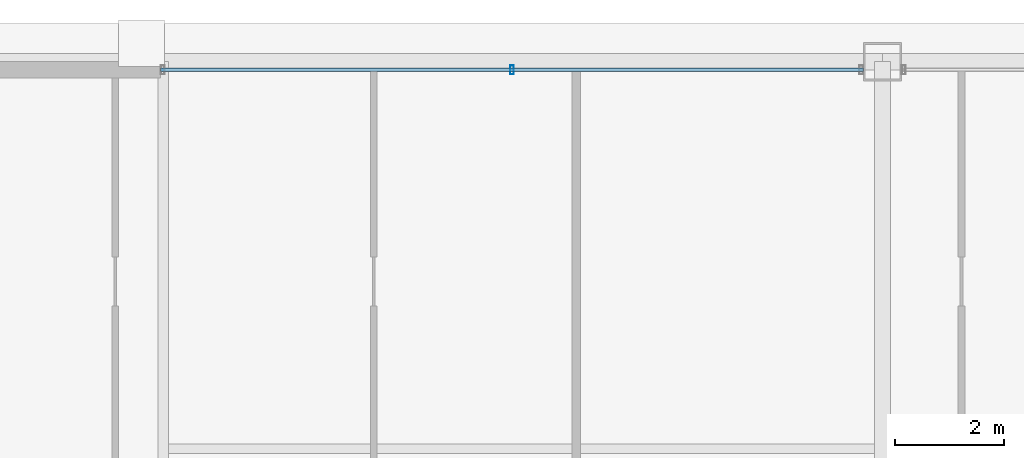
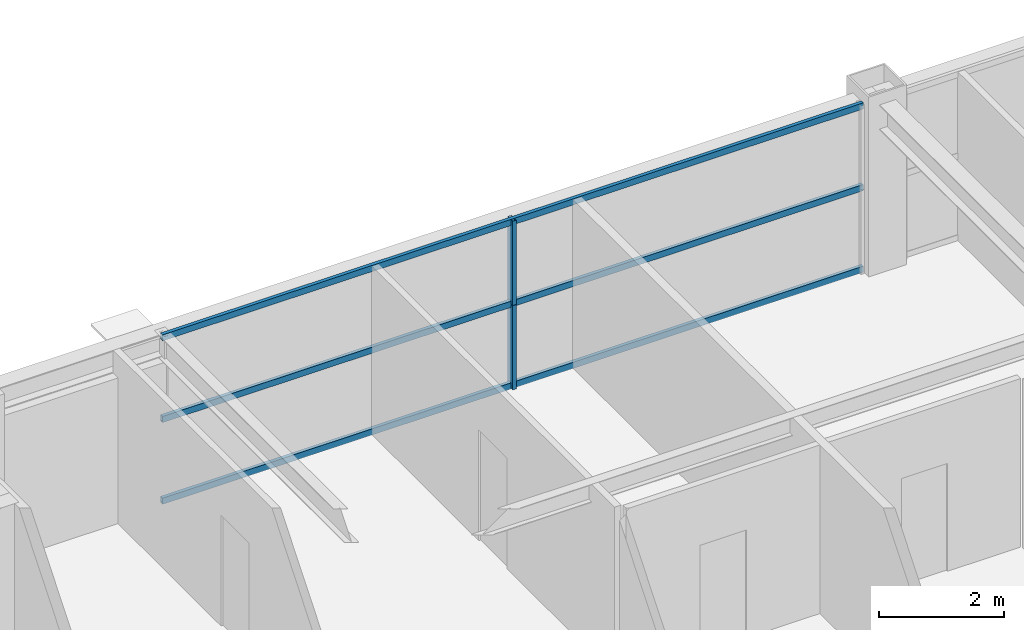
# One storey, part 26 of 37: 5 members, 1 element without a shape of its own.
"""IFC4 building model written with IfcOpenShell, lengths in metres."""

from ifc_helpers import new_model, si_unit, direction, frame, origin, origin_2d, place, context, subcontext, project, spatial, hollow_rectangle, extrude, source, transform, mapped, material, layer, layer_set, material_profile, profile_set, type_object, element, aggregate, save


model = new_model("IFC4")

# Units and contexts
model_context = context("Model", 3, precision=1e-05, world=origin(), true_north=direction((0.0, 1.0)))
body_context = subcontext(model_context, "Body", "Model", "MODEL_VIEW")
ifc_project = project(units=[si_unit("LENGTHUNIT", "METRE"), si_unit("AREAUNIT", "SQUARE_METRE"), si_unit("VOLUMEUNIT", "CUBIC_METRE"), si_unit("PLANEANGLEUNIT", "RADIAN"), si_unit("MASSUNIT", "GRAM", prefix="KILO"), si_unit("THERMODYNAMICTEMPERATUREUNIT", "KELVIN"), si_unit("POWERUNIT", "WATT")], contexts=[model_context])

# Site, building, storey
site_placement = place(None, origin())
site = spatial("IfcSite", under=ifc_project, at=site_placement, CompositionType="ELEMENT")
building_placement = place(site_placement, origin())
building = spatial("IfcBuilding", under=site, at=building_placement, Name="Yuzanri Waterfront Tower", CompositionType="ELEMENT")
storey_placement = place(building_placement, frame((0.0, 0.0, 245.10009765625)))
storey = spatial("IfcBuildingStorey", under=building, at=storey_placement, Name="L65", CompositionType="ELEMENT", Elevation=245.10009765625)

# Curtain wall, members
ifc_material_1 = material(Name="Anodized Architectural Bronze", Category="metal")
ifc_layer = layer(ifc_material_1, 0.159912109375)
ifc_layer_set = layer_set([ifc_layer], Name="Anodized Architectural Bronze")
curtain_wall_type = type_object("IfcCurtainWallType", Name="Anodized Bronze Mid-Rise Residential Acoustic Unitized Curtain Wall 7200", PredefinedType="NOTDEFINED", material=ifc_layer_set)
curtain_wall_placement = place(storey_placement, origin())
curtain_wall = element("IfcCurtainWall", 1, at=curtain_wall_placement, inside=storey, type_object=curtain_wall_type, Name="L65 Curtain Wall CW-L65-NL", PredefinedType="NOTDEFINED")
ifc_material_2 = material(Name="Anodized Architectural Bronze", Category="metal")
ifc_material_profile_1 = material_profile(ifc_material_2, hollow_rectangle(XDim=0.06494140625, YDim=0.159912109375, WallThickness=0.00341796875, at=origin_2d()), Name="CWM 65x160")
ifc_profile_set_1 = profile_set([ifc_material_profile_1], Name="Anodized Architectural Bronze")
member_type_1 = type_object("IfcMemberType", Name="Anodized Bronze Upper-Zone Curtain-Wall Mullion 65x160", PredefinedType="MULLION", material=ifc_profile_set_1)
shared_shape_1 = source(origin(), body_context, "Body", "SweptSolid", [
    extrude(hollow_rectangle(XDim=0.06494140625, YDim=0.159912109375, WallThickness=0.00341796875, at=origin_2d()), origin(), (0.0, 0.0, 1.0), 1.637939453125),
])
member_1_placement = place(storey_placement, frame((30.199951171875, 46.25, 0.0), z_axis=(0.0, 0.0, 1.0), x_axis=(1.0, 0.0, 0.0)))
member_1 = element("IfcMember", 2, at=member_1_placement, type_object=member_type_1, Name="CW-L65-NL Lower Mullion 01", PredefinedType="MULLION", context=body_context, shape_type="MappedRepresentation", body=[
    mapped(shared_shape_1, transform((0.0, 0.0, 0.0), scale=1.0)),
])
member_2_placement = place(storey_placement, frame((30.199951171875, 46.25, 1.641845703125), z_axis=(0.0, 0.0, 1.0), x_axis=(1.0, 0.0, 0.0)))
member_2 = element("IfcMember", 3, at=member_2_placement, type_object=member_type_1, Name="CW-L65-NL Upper Mullion 01", PredefinedType="MULLION", context=body_context, shape_type="MappedRepresentation", body=[
    mapped(shared_shape_1, transform((0.0, 0.0, 0.0), scale=1.0)),
])
ifc_material_3 = material(Name="Anodized Architectural Bronze", Category="metal")
ifc_material_profile_2 = material_profile(ifc_material_3, hollow_rectangle(XDim=0.06494140625, YDim=0.1201171875, WallThickness=0.00341796875, at=origin_2d()), Name="CWT 65x120")
ifc_profile_set_2 = profile_set([ifc_material_profile_2], Name="Anodized Architectural Bronze")
member_type_2 = type_object("IfcMemberType", Name="Anodized Bronze Secondary Curtain-Wall Transom 65x120", PredefinedType="USERDEFINED", material=ifc_profile_set_2)
shared_shape_2 = source(origin(), body_context, "Body", "SweptSolid", [
    extrude(hollow_rectangle(XDim=0.06494140625, YDim=0.1201171875, WallThickness=0.00341796875, at=origin_2d()), origin(), (0.0, 0.0, 1.0), 12.89990234375),
])
member_3_placement = place(storey_placement, frame((23.75, 46.25, 0.0498046875), z_axis=(1.0, 0.0, 0.0), x_axis=(0.0, 1.0, 0.0)))
member_3 = element("IfcMember", 4, at=member_3_placement, type_object=member_type_2, Name="CW-L65-NL Transom 1", ObjectType="TRANSOM", PredefinedType="USERDEFINED", context=body_context, shape_type="MappedRepresentation", body=[
    mapped(shared_shape_2, transform((0.0, 0.0, 0.0), scale=1.0)),
])
member_4_placement = place(storey_placement, frame((23.75, 46.25, 1.639892578125), z_axis=(1.0, 0.0, 0.0), x_axis=(0.0, 1.0, 0.0)))
member_4 = element("IfcMember", 5, at=member_4_placement, type_object=member_type_2, Name="CW-L65-NL Transom 2", ObjectType="TRANSOM", PredefinedType="USERDEFINED", context=body_context, shape_type="MappedRepresentation", body=[
    mapped(shared_shape_2, transform((0.0, 0.0, 0.0), scale=1.0)),
])
member_5_placement = place(storey_placement, frame((23.75, 46.25, 3.22998046875), z_axis=(1.0, 0.0, 0.0), x_axis=(0.0, 1.0, 0.0)))
member_5 = element("IfcMember", 6, at=member_5_placement, type_object=member_type_2, Name="CW-L65-NL Transom 3", ObjectType="TRANSOM", PredefinedType="USERDEFINED", context=body_context, shape_type="MappedRepresentation", body=[
    mapped(shared_shape_2, transform((0.0, 0.0, 0.0), scale=1.0)),
])
aggregate(curtain_wall, [member_1, member_2, member_3, member_4, member_5])

save(model, "model.ifc")
